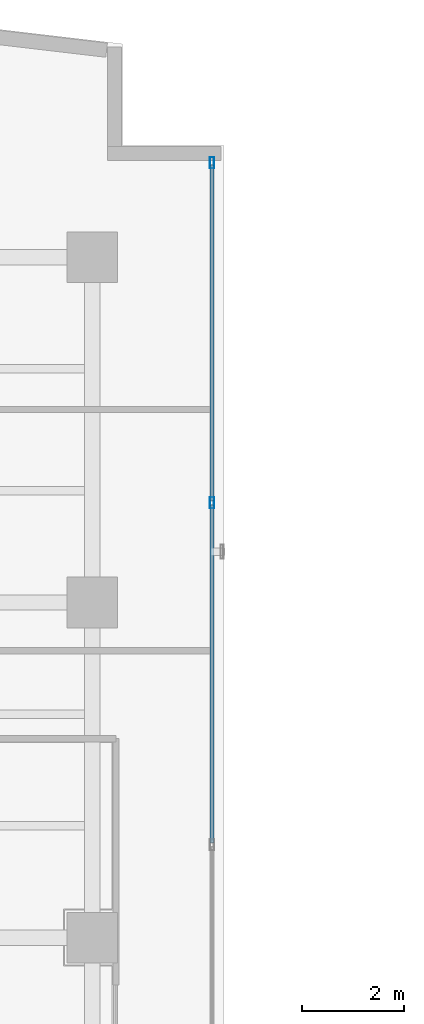
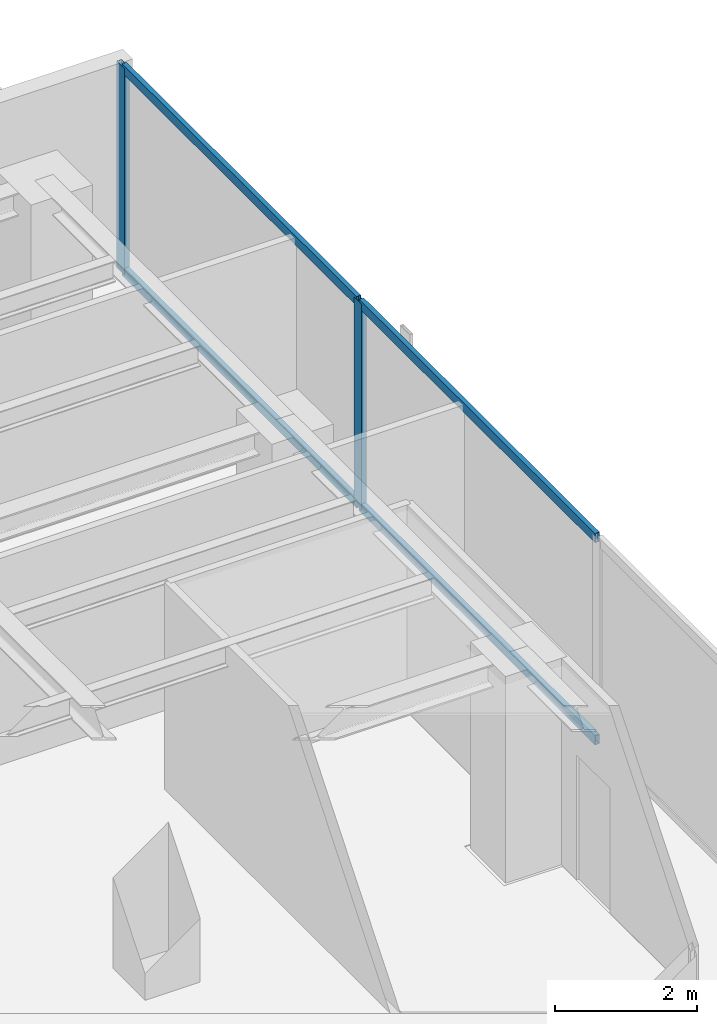
# One storey, part 15 of 23: 6 members, 1 element without a shape of its own.
"""IFC4 building model written with IfcOpenShell, lengths in metres."""

from ifc_helpers import new_model, si_unit, direction, frame, origin, origin_with_axes, origin_2d, place, context, subcontext, project, spatial, hollow_rectangle, extrude, source, transform, mapped, material, layer, layer_set, material_profile, profile_set, type_object, element, aggregate, save


model = new_model("IFC4")

# Units and contexts
model_context = context("Model", 3, precision=1e-05, world=origin(), true_north=direction((0.0, 1.0)))
body_context = subcontext(model_context, "Body", "Model", "MODEL_VIEW")
ifc_project = project(units=[si_unit("LENGTHUNIT", "METRE"), si_unit("AREAUNIT", "SQUARE_METRE"), si_unit("VOLUMEUNIT", "CUBIC_METRE"), si_unit("PLANEANGLEUNIT", "RADIAN"), si_unit("MASSUNIT", "GRAM", prefix="KILO")], contexts=[model_context])

# Site, building, storey
site_placement = place(None, origin())
site = spatial("IfcSite", under=ifc_project, at=site_placement, CompositionType="ELEMENT")
building_placement = place(site_placement, origin())
building = spatial("IfcBuilding", under=site, at=building_placement, Name="Kolvaren Waterfront Exchange", CompositionType="ELEMENT")
storey_placement = place(building_placement, frame((0.0, 0.0, 215.89990234375)))
storey = spatial("IfcBuildingStorey", under=building, at=storey_placement, Name="L55", CompositionType="ELEMENT", Elevation=215.89990234375)

# Curtain wall, members
ifc_material_1 = material(Name="Anodised bronze aluminium 6063-T6", Category="aluminium")
ifc_layer = layer(ifc_material_1, 0.219970703125, Name="Anodised bronze aluminium 6063-T6")
ifc_layer_set = layer_set([ifc_layer], Name="Anodised bronze aluminium 6063-T6")
curtain_wall_type = type_object("IfcCurtainWallType", Name="ARC-CW-SYS1", PredefinedType="USERDEFINED", material=ifc_layer_set)
curtain_wall_placement = place(storey_placement, origin())
curtain_wall = element("IfcCurtainWall", 1, at=curtain_wall_placement, inside=storey, type_object=curtain_wall_type, Name="L55 stick curtain wall CW1 (CW-L55-NE)", ObjectType="STICK CURTAIN WALL", PredefinedType="USERDEFINED")
ifc_material_2 = material(Name="Anodised aluminium 6063-T6", Category="aluminium")
ifc_material_profile_1 = material_profile(ifc_material_2, hollow_rectangle(XDim=0.080078125, YDim=0.219970703125, WallThickness=0.0048828125, at=origin_2d()), Name="ALU-MUL-220x80x5")
ifc_profile_set_1 = profile_set([ifc_material_profile_1], Name="Anodised aluminium 6063-T6")
member_type_1 = type_object("IfcMemberType", Name="ARC-CWM-220", PredefinedType="MULLION", material=ifc_profile_set_1)
shared_shape_1 = source(origin_with_axes(), body_context, "Body", "SweptSolid", [
    extrude(hollow_rectangle(XDim=0.080078125, YDim=0.219970703125, WallThickness=0.0048828125, at=origin_2d()), origin(), (0.0, 0.0, 1.0), 3.56005859375),
])
member_1_placement = place(storey_placement, frame((21.159912109375, 39.763427734375, 0.0), z_axis=(0.0, 0.0, 1.0), x_axis=(-1.0, 0.0, 0.0)))
member_1 = element("IfcMember", 2, at=member_1_placement, type_object=member_type_1, Name="CW1 mullion 3", PredefinedType="MULLION", context=body_context, shape_type="MappedRepresentation", body=[
    mapped(shared_shape_1, transform((0.0, 0.0, 0.0), x_axis=(1.0, 0.0, 0.0), y_axis=(0.0, 1.0, 0.0), z_axis=(0.0, 0.0, 1.0), scale=1.0)),
])
member_2_placement = place(storey_placement, frame((21.159912109375, 46.4599609375, 0.0), z_axis=(0.0, 0.0, 1.0), x_axis=(-1.0, 0.0, 0.0)))
member_2 = element("IfcMember", 3, at=member_2_placement, type_object=member_type_1, Name="CW1 mullion 4", PredefinedType="MULLION", context=body_context, shape_type="MappedRepresentation", body=[
    mapped(shared_shape_1, transform((0.0, 0.0, 0.0), x_axis=(1.0, 0.0, 0.0), y_axis=(0.0, 1.0, 0.0), z_axis=(0.0, 0.0, 1.0), scale=1.0)),
])
ifc_material_profile_2 = material_profile(ifc_material_2, hollow_rectangle(XDim=0.074951171875, YDim=0.159912109375, WallThickness=0.00439453125, at=origin_2d()), Name="ALU-TRN-160x75x4.5")
ifc_profile_set_2 = profile_set([ifc_material_profile_2], Name="Anodised aluminium 6063-T6")
member_type_2 = type_object("IfcMemberType", Name="ARC-CWT-160", PredefinedType="USERDEFINED", material=ifc_profile_set_2)
shared_shape_2 = source(origin_with_axes(), body_context, "Body", "SweptSolid", [
    extrude(hollow_rectangle(XDim=0.074951171875, YDim=0.159912109375, WallThickness=0.00439453125, at=origin_2d()), origin(), (0.0, 0.0, 1.0), 6.65673828125),
])
member_3_placement = place(storey_placement, frame((21.159912109375, 33.066650390625, 0.03759765625), z_axis=(0.0, 1.0, 0.0), x_axis=(-1.0, 0.0, 0.0)))
member_3 = element("IfcMember", 4, at=member_3_placement, type_object=member_type_2, Name="CW1 transom 2.1", ObjectType="TRANSOM", PredefinedType="USERDEFINED", context=body_context, shape_type="MappedRepresentation", body=[
    mapped(shared_shape_2, transform((0.0, 0.0, 0.0), x_axis=(1.0, 0.0, 0.0), y_axis=(0.0, 1.0, 0.0), z_axis=(0.0, 0.0, 1.0), scale=1.0)),
])
member_4_placement = place(storey_placement, frame((21.159912109375, 33.066650390625, 3.522705078125), z_axis=(0.0, 1.0, 0.0), x_axis=(-1.0, 0.0, 0.0)))
member_4 = element("IfcMember", 5, at=member_4_placement, type_object=member_type_2, Name="CW1 transom 2.2", ObjectType="TRANSOM", PredefinedType="USERDEFINED", context=body_context, shape_type="MappedRepresentation", body=[
    mapped(shared_shape_2, transform((0.0, 0.0, 0.0), x_axis=(1.0, 0.0, 0.0), y_axis=(0.0, 1.0, 0.0), z_axis=(0.0, 0.0, 1.0), scale=1.0)),
])
shared_shape_3 = source(origin_with_axes(), body_context, "Body", "SweptSolid", [
    extrude(hollow_rectangle(XDim=0.074951171875, YDim=0.159912109375, WallThickness=0.00439453125, at=origin_2d()), origin(), (0.0, 0.0, 1.0), 6.61669921875),
])
member_5_placement = place(storey_placement, frame((21.159912109375, 39.80322265625, 0.03759765625), z_axis=(0.0, 1.0, 0.0), x_axis=(-1.0, 0.0, 0.0)))
member_5 = element("IfcMember", 6, at=member_5_placement, type_object=member_type_2, Name="CW1 transom 3.1", ObjectType="TRANSOM", PredefinedType="USERDEFINED", context=body_context, shape_type="MappedRepresentation", body=[
    mapped(shared_shape_3, transform((0.0, 0.0, 0.0), x_axis=(1.0, 0.0, 0.0), y_axis=(0.0, 1.0, 0.0), z_axis=(0.0, 0.0, 1.0), scale=1.0)),
])
member_6_placement = place(storey_placement, frame((21.159912109375, 39.80322265625, 3.522705078125), z_axis=(0.0, 1.0, 0.0), x_axis=(-1.0, 0.0, 0.0)))
member_6 = element("IfcMember", 7, at=member_6_placement, type_object=member_type_2, Name="CW1 transom 3.2", ObjectType="TRANSOM", PredefinedType="USERDEFINED", context=body_context, shape_type="MappedRepresentation", body=[
    mapped(shared_shape_3, transform((0.0, 0.0, 0.0), x_axis=(1.0, 0.0, 0.0), y_axis=(0.0, 1.0, 0.0), z_axis=(0.0, 0.0, 1.0), scale=1.0)),
])
aggregate(curtain_wall, [member_1, member_2, member_3, member_4, member_5, member_6])

save(model, "model.ifc")
